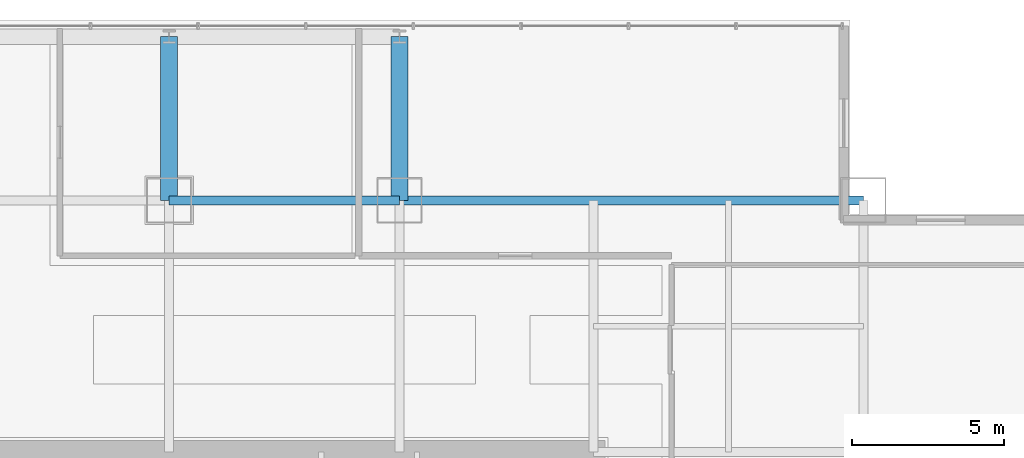
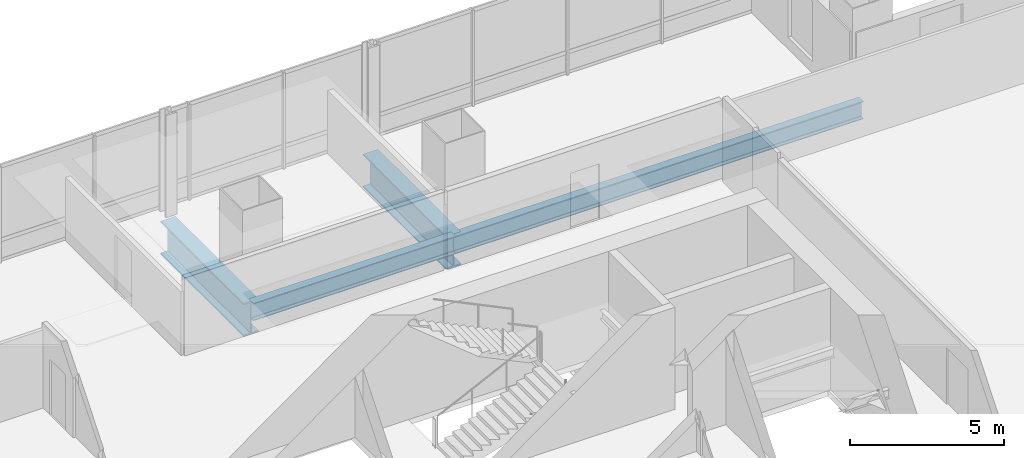
# One storey, part 21 of 34: 4 beams.
"""IFC4 building model written with IfcOpenShell, lengths in metres."""

from ifc_helpers import new_model, si_unit, direction, frame, origin, origin_2d, place, context, subcontext, project, spatial, i_section, extrude, material, material_profile, profile_set, type_object, element, save


model = new_model("IFC4")

# Units and contexts
model_context = context("Model", 3, precision=1e-05, world=origin(), true_north=direction((0.0, 1.0)))
body_context = subcontext(model_context, "Body", "Model", "MODEL_VIEW")
ifc_project = project(units=[si_unit("LENGTHUNIT", "METRE"), si_unit("AREAUNIT", "SQUARE_METRE"), si_unit("VOLUMEUNIT", "CUBIC_METRE"), si_unit("PLANEANGLEUNIT", "RADIAN"), si_unit("MASSUNIT", "GRAM", prefix="KILO")], contexts=[model_context])

# Site, building, storey
site_placement = place(None, origin())
site = spatial("IfcSite", under=ifc_project, at=site_placement, CompositionType="ELEMENT")
building_placement = place(site_placement, origin())
building = spatial("IfcBuilding", under=site, at=building_placement, Name="Punatoya Terracotta Tower", CompositionType="ELEMENT")
storey_placement = place(building_placement, frame((0.0, 0.0, 117.300048828125)))
storey = spatial("IfcBuildingStorey", under=building, at=storey_placement, Name="L27", CompositionType="ELEMENT", Elevation=117.300048828125)

# Beams
ifc_material_1 = material(Name="Steel S355", Category="steel")
ifc_material_profile_1 = material_profile(ifc_material_1, i_section(OverallWidth=0.300048828125, OverallDepth=0.699951171875, WebThickness=0.01708984375, FlangeThickness=0.031982421875, FilletRadius=0.01806640625, at=origin_2d()))
ifc_profile_set_1 = profile_set([ifc_material_profile_1], Name="Steel S355")
beam_type_1 = type_object("IfcBeamType", Name="BM-PRI-700", PredefinedType="BEAM", material=ifc_profile_set_1)
beam_1_placement = place(storey_placement, frame((-3.800048828125, 17.5, -0.590087890625), z_axis=(1.0, 0.0, 0.0), x_axis=(0.0, 1.0, 0.0)))
element("IfcBeam", 1, at=beam_1_placement, inside=storey, type_object=beam_type_1, Name="BM-L27-RG-N2", PredefinedType="BEAM", context=body_context, shape_type="SweptSolid", body=[
    extrude(i_section(OverallWidth=0.300048828125, OverallDepth=0.699951171875, WebThickness=0.01708984375, FlangeThickness=0.031982421875, FilletRadius=0.01806640625, at=origin_2d()), origin(), (0.0, 0.0, 1.0), 7.60009765625),
])
beam_2_placement = place(storey_placement, frame((3.800048828125, 17.5, -0.590087890625), z_axis=(1.0, 0.0, 0.0), x_axis=(0.0, 1.0, 0.0)))
element("IfcBeam", 2, at=beam_2_placement, inside=storey, type_object=beam_type_1, Name="BM-L27-RG-N3", PredefinedType="BEAM", context=body_context, shape_type="SweptSolid", body=[
    extrude(i_section(OverallWidth=0.300048828125, OverallDepth=0.699951171875, WebThickness=0.01708984375, FlangeThickness=0.031982421875, FilletRadius=0.01806640625, at=origin_2d()), origin(), (0.0, 0.0, 1.0), 15.300048828125),
])
ifc_material_2 = material(Name="Steel S460", Category="steel")
ifc_material_profile_2 = material_profile(ifc_material_2, i_section(OverallWidth=0.56005859375, OverallDepth=1.320068359375, WebThickness=0.035888671875, FlangeThickness=0.054931640625, FilletRadius=0.01806640625, at=origin_2d()))
ifc_profile_set_2 = profile_set([ifc_material_profile_2], Name="Steel S460")
beam_type_2 = type_object("IfcBeamType", Name="BM-TG-BLK", PredefinedType="BEAM", material=ifc_profile_set_2)
for number, where, z_axis, x_axis, name in (
    (3, (-3.800048828125, 17.5, -0.900146484375), (0.0, 1.0, 0.0), (-1.0, 0.0, 0.0), "BM-L27-CANT-N2"),
    (4, (3.800048828125, 17.5, -0.900146484375), (0.0, 1.0, 0.0), (-1.0, 0.0, 0.0), "BM-L27-CANT-N3"),
):
    element("IfcBeam", number, at=place(storey_placement, frame(where, z_axis=z_axis, x_axis=x_axis)), inside=storey, type_object=beam_type_2, Name=name, PredefinedType="BEAM", context=body_context, shape_type="SweptSolid", body=[
        extrude(i_section(OverallWidth=0.56005859375, OverallDepth=1.320068359375, WebThickness=0.035888671875, FlangeThickness=0.054931640625, FilletRadius=0.01806640625, at=origin_2d()), origin(), (0.0, 0.0, 1.0), 5.39990234375),
    ])

save(model, "model.ifc")
